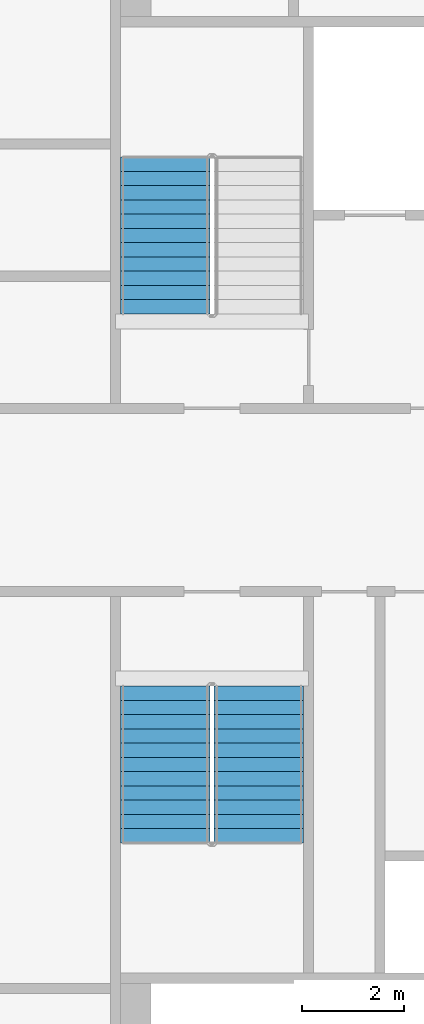
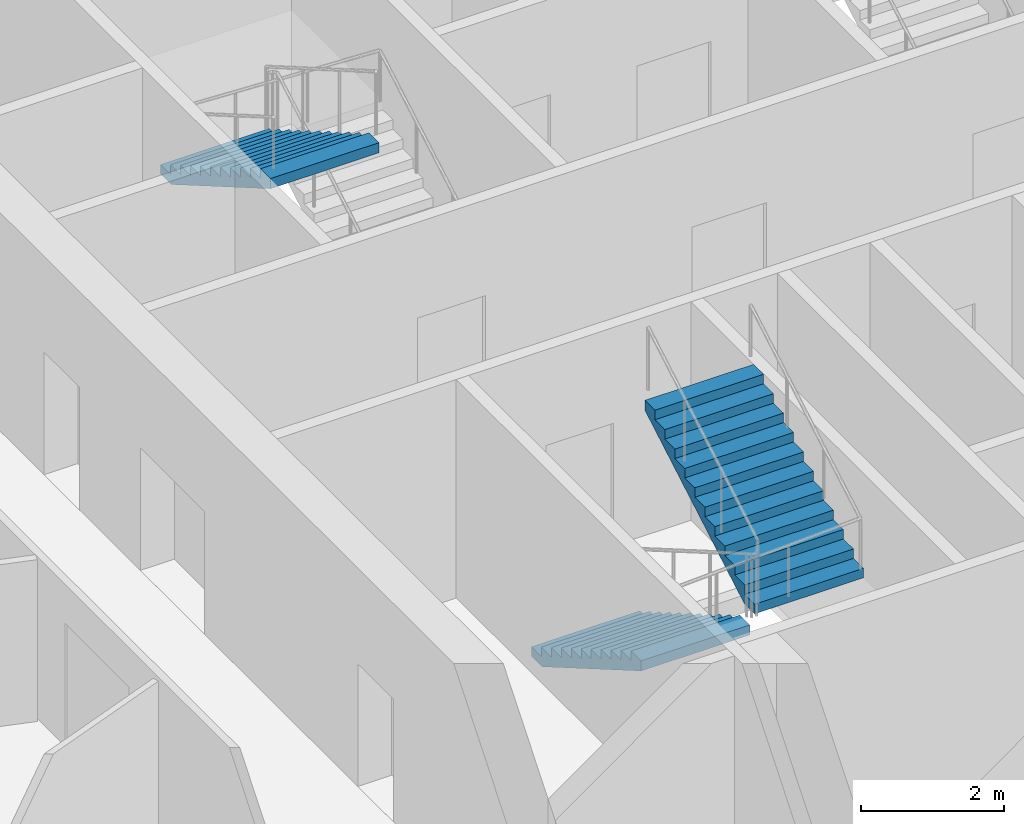
# One storey, part 17 of 24: 3 stair flights, 2 elements without a shape of their own.
"""IFC4 building model written with IfcOpenShell, lengths in metres."""

from ifc_helpers import new_model, si_unit, direction, frame, origin, place, context, subcontext, project, spatial, faceted_brep, material, type_object, element, aggregate, save


model = new_model("IFC4")

# Units and contexts
model_context = context("Model", 3, precision=1e-05, world=origin(), true_north=direction((0.0, 1.0)))
body_context = subcontext(model_context, "Body", "Model", "MODEL_VIEW")
ifc_project = project(units=[si_unit("LENGTHUNIT", "METRE"), si_unit("AREAUNIT", "SQUARE_METRE"), si_unit("VOLUMEUNIT", "CUBIC_METRE"), si_unit("PLANEANGLEUNIT", "RADIAN"), si_unit("MASSUNIT", "GRAM", prefix="KILO")], contexts=[model_context])

# Site, building, storey
site_placement = place(None, origin())
site = spatial("IfcSite", under=ifc_project, at=site_placement, CompositionType="ELEMENT")
building_placement = place(site_placement, origin())
building = spatial("IfcBuilding", under=site, at=building_placement, Name="Tarsis Ring Headquarters", CompositionType="ELEMENT")
storey_placement = place(building_placement, frame((0.0, 0.0, 216.0)))
storey = spatial("IfcBuildingStorey", under=building, at=storey_placement, Name="L50", CompositionType="ELEMENT", Elevation=216.0)

# Stair, stair flight
ifc_material_1 = material(Name="Core stair 1760")
stair_type = type_object("IfcStairType", Name="Core stair 1760", PredefinedType="HALF_TURN_STAIR", material=ifc_material_1)
stair_1_placement = place(storey_placement, origin())
stair_1 = element("IfcStair", 1, at=stair_1_placement, inside=storey, type_object=stair_type, Name="L50 Firefighting stair", PredefinedType="HALF_TURN_STAIR")
ifc_material_2 = material(Name="Concrete C40/50", Category="concrete")
stair_flight_type = type_object("IfcStairFlightType", Name="Core stair flight 1760", PredefinedType="STRAIGHT", material=ifc_material_2)
stair_flight_1_placement = place(storey_placement, frame((-5.419921875, 6.739990234375, 1.949951171875), z_axis=(0.0, 0.0, 1.0), x_axis=(0.0, -1.0, 0.0)))
stair_flight_1 = element("IfcStairFlight", 2, at=stair_flight_1_placement, type_object=stair_flight_type, Name="Stair ST1 flight 2", NumberOfRisers=12, NumberOfTreads=11, PredefinedType="STRAIGHT", RiserHeight=0.1625, TreadLength=0.28, context=body_context, shape_type="Brep", body=[
    faceted_brep([(0.0, 0.8798828125, 0.0), (0.0, 0.8798828125, 0.16259765625), (0.280029296875, 0.8798828125, 0.16259765625), (0.280029296875, 0.8798828125, 0.324951171875), (0.56005859375, 0.8798828125, 0.324951171875), (0.56005859375, 0.8798828125, 0.487548828125), (0.840087890625, 0.8798828125, 0.487548828125), (0.840087890625, 0.8798828125, 0.64990234375), (1.1201171875, 0.8798828125, 0.64990234375), (1.1201171875, 0.8798828125, 0.8125), (1.39990234375, 0.8798828125, 0.8125), (1.39990234375, 0.8798828125, 0.97509765625), (1.679931640625, 0.8798828125, 0.97509765625), (1.679931640625, 0.8798828125, 1.137451171875), (1.9599609375, 0.8798828125, 1.137451171875), (1.9599609375, 0.8798828125, 1.300048828125), (2.239990234375, 0.8798828125, 1.300048828125), (2.239990234375, 0.8798828125, 1.46240234375), (2.52001953125, 0.8798828125, 1.46240234375), (2.52001953125, 0.8798828125, 1.625), (2.800048828125, 0.8798828125, 1.625), (2.800048828125, 0.8798828125, 1.78759765625), (3.080078125, 0.8798828125, 1.78759765625), (3.080078125, 0.8798828125, 1.6142578125), (0.298583984375, 0.8798828125, 0.0), (0.298583984375, -0.8798828125, 0.0), (3.080078125, -0.8798828125, 1.6142578125), (3.080078125, -0.8798828125, 1.78759765625), (2.800048828125, -0.8798828125, 1.78759765625), (2.800048828125, -0.8798828125, 1.625), (2.52001953125, -0.8798828125, 1.625), (2.52001953125, -0.8798828125, 1.46240234375), (2.239990234375, -0.8798828125, 1.46240234375), (2.239990234375, -0.8798828125, 1.300048828125), (1.9599609375, -0.8798828125, 1.300048828125), (1.9599609375, -0.8798828125, 1.137451171875), (1.679931640625, -0.8798828125, 1.137451171875), (1.679931640625, -0.8798828125, 0.97509765625), (1.39990234375, -0.8798828125, 0.97509765625), (1.39990234375, -0.8798828125, 0.8125), (1.1201171875, -0.8798828125, 0.8125), (1.1201171875, -0.8798828125, 0.64990234375), (0.840087890625, -0.8798828125, 0.64990234375), (0.840087890625, -0.8798828125, 0.487548828125), (0.56005859375, -0.8798828125, 0.487548828125), (0.56005859375, -0.8798828125, 0.324951171875), (0.280029296875, -0.8798828125, 0.324951171875), (0.280029296875, -0.8798828125, 0.16259765625), (0.0, -0.8798828125, 0.16259765625), (0.0, -0.8798828125, 0.0), (0.0, -0.43994140625, 0.16259765625), (0.0, -0.43994140625, 0.0), (0.0, 0.0, 0.16259765625), (0.0, 0.0, 0.0), (0.0, 0.43994140625, 0.16259765625), (0.0, 0.43994140625, 0.0), (0.280029296875, -0.43994140625, 0.16259765625), (0.280029296875, 0.0, 0.16259765625), (0.280029296875, 0.43994140625, 0.16259765625), (0.280029296875, -0.43994140625, 0.324951171875), (0.280029296875, 0.0, 0.324951171875), (0.280029296875, 0.43994140625, 0.324951171875), (0.56005859375, -0.43994140625, 0.324951171875), (0.56005859375, 0.0, 0.324951171875), (0.56005859375, 0.43994140625, 0.324951171875), (0.56005859375, -0.43994140625, 0.487548828125), (0.56005859375, 0.0, 0.487548828125), (0.56005859375, 0.43994140625, 0.487548828125), (0.840087890625, -0.43994140625, 0.487548828125), (0.840087890625, 0.0, 0.487548828125), (0.840087890625, 0.43994140625, 0.487548828125), (0.840087890625, -0.43994140625, 0.64990234375), (0.840087890625, 0.0, 0.64990234375), (0.840087890625, 0.43994140625, 0.64990234375), (1.1201171875, -0.43994140625, 0.64990234375), (1.1201171875, 0.0, 0.64990234375), (1.1201171875, 0.43994140625, 0.64990234375), (1.1201171875, -0.43994140625, 0.8125), (1.1201171875, 0.0, 0.8125), (1.1201171875, 0.43994140625, 0.8125), (1.39990234375, -0.43994140625, 0.8125), (1.39990234375, 0.0, 0.8125), (1.39990234375, 0.43994140625, 0.8125), (1.39990234375, -0.43994140625, 0.97509765625), (1.39990234375, 0.0, 0.97509765625), (1.39990234375, 0.43994140625, 0.97509765625), (1.679931640625, -0.43994140625, 0.97509765625), (1.679931640625, 0.0, 0.97509765625), (1.679931640625, 0.43994140625, 0.97509765625), (1.679931640625, -0.43994140625, 1.137451171875), (1.679931640625, 0.0, 1.137451171875), (1.679931640625, 0.43994140625, 1.137451171875), (1.9599609375, -0.43994140625, 1.137451171875), (1.9599609375, 0.0, 1.137451171875), (1.9599609375, 0.43994140625, 1.137451171875), (1.9599609375, -0.43994140625, 1.300048828125), (1.9599609375, 0.0, 1.300048828125), (1.9599609375, 0.43994140625, 1.300048828125), (2.239990234375, -0.43994140625, 1.300048828125), (2.239990234375, 0.0, 1.300048828125), (2.239990234375, 0.43994140625, 1.300048828125), (2.239990234375, -0.43994140625, 1.46240234375), (2.239990234375, 0.0, 1.46240234375), (2.239990234375, 0.43994140625, 1.46240234375), (2.52001953125, -0.43994140625, 1.46240234375), (2.52001953125, 0.0, 1.46240234375), (2.52001953125, 0.43994140625, 1.46240234375), (2.52001953125, -0.43994140625, 1.625), (2.52001953125, 0.0, 1.625), (2.52001953125, 0.43994140625, 1.625), (2.800048828125, -0.43994140625, 1.625), (2.800048828125, 0.0, 1.625), (2.800048828125, 0.43994140625, 1.625), (2.800048828125, -0.43994140625, 1.78759765625), (2.800048828125, 0.0, 1.78759765625), (2.800048828125, 0.43994140625, 1.78759765625), (3.080078125, -0.43994140625, 1.78759765625), (3.080078125, 0.0, 1.78759765625), (3.080078125, 0.43994140625, 1.78759765625), (3.080078125, -0.43994140625, 1.6142578125), (3.080078125, 0.0, 1.6142578125), (3.080078125, 0.43994140625, 1.6142578125), (0.298583984375, -0.43994140625, 0.0), (0.298583984375, 0.0, 0.0), (0.298583984375, 0.43994140625, 0.0)], [[[0, 1, 2, 3, 4, 5, 6, 7, 8, 9, 10, 11, 12, 13, 14, 15, 16, 17, 18, 19, 20, 21, 22, 23, 24]], [[25, 26, 27, 28, 29, 30, 31, 32, 33, 34, 35, 36, 37, 38, 39, 40, 41, 42, 43, 44, 45, 46, 47, 48, 49]], [[49, 48, 50, 51]], [[51, 50, 52, 53]], [[53, 52, 54, 55]], [[55, 54, 1, 0]], [[48, 47, 56, 50]], [[50, 56, 57, 52]], [[52, 57, 58, 54]], [[54, 58, 2, 1]], [[47, 46, 59, 56]], [[56, 59, 60, 57]], [[57, 60, 61, 58]], [[58, 61, 3, 2]], [[46, 45, 62, 59]], [[59, 62, 63, 60]], [[60, 63, 64, 61]], [[61, 64, 4, 3]], [[45, 44, 65, 62]], [[62, 65, 66, 63]], [[63, 66, 67, 64]], [[64, 67, 5, 4]], [[44, 43, 68, 65]], [[65, 68, 69, 66]], [[66, 69, 70, 67]], [[67, 70, 6, 5]], [[43, 42, 71, 68]], [[68, 71, 72, 69]], [[69, 72, 73, 70]], [[70, 73, 7, 6]], [[42, 41, 74, 71]], [[71, 74, 75, 72]], [[72, 75, 76, 73]], [[73, 76, 8, 7]], [[41, 40, 77, 74]], [[74, 77, 78, 75]], [[75, 78, 79, 76]], [[76, 79, 9, 8]], [[40, 39, 80, 77]], [[77, 80, 81, 78]], [[78, 81, 82, 79]], [[79, 82, 10, 9]], [[39, 38, 83, 80]], [[80, 83, 84, 81]], [[81, 84, 85, 82]], [[82, 85, 11, 10]], [[38, 37, 86, 83]], [[83, 86, 87, 84]], [[84, 87, 88, 85]], [[85, 88, 12, 11]], [[37, 36, 89, 86]], [[86, 89, 90, 87]], [[87, 90, 91, 88]], [[88, 91, 13, 12]], [[36, 35, 92, 89]], [[89, 92, 93, 90]], [[90, 93, 94, 91]], [[91, 94, 14, 13]], [[35, 34, 95, 92]], [[92, 95, 96, 93]], [[93, 96, 97, 94]], [[94, 97, 15, 14]], [[34, 33, 98, 95]], [[95, 98, 99, 96]], [[96, 99, 100, 97]], [[97, 100, 16, 15]], [[33, 32, 101, 98]], [[98, 101, 102, 99]], [[99, 102, 103, 100]], [[100, 103, 17, 16]], [[32, 31, 104, 101]], [[101, 104, 105, 102]], [[102, 105, 106, 103]], [[103, 106, 18, 17]], [[31, 30, 107, 104]], [[104, 107, 108, 105]], [[105, 108, 109, 106]], [[106, 109, 19, 18]], [[30, 29, 110, 107]], [[107, 110, 111, 108]], [[108, 111, 112, 109]], [[109, 112, 20, 19]], [[29, 28, 113, 110]], [[110, 113, 114, 111]], [[111, 114, 115, 112]], [[112, 115, 21, 20]], [[28, 27, 116, 113]], [[113, 116, 117, 114]], [[114, 117, 118, 115]], [[115, 118, 22, 21]], [[27, 26, 119, 116]], [[116, 119, 120, 117]], [[117, 120, 121, 118]], [[118, 121, 23, 22]], [[26, 25, 122, 119]], [[119, 122, 123, 120]], [[120, 123, 124, 121]], [[121, 124, 24, 23]], [[25, 49, 51, 122]], [[122, 51, 53, 123]], [[123, 53, 55, 124]], [[124, 55, 0, 24]]]),
])
aggregate(stair_1, [stair_flight_1])

# Stair, stair flights
stair_2_placement = place(storey_placement, origin())
stair_2 = element("IfcStair", 3, at=stair_2_placement, inside=storey, type_object=stair_type, Name="L50 Exit stair C", PredefinedType="HALF_TURN_STAIR")
stair_flight_2_placement = place(storey_placement, frame((-5.419921875, -3.659912109375, 0.0), z_axis=(0.0, 0.0, 1.0), x_axis=(0.0, -1.0, 0.0)))
stair_flight_2 = element("IfcStairFlight", 4, at=stair_flight_2_placement, type_object=stair_flight_type, Name="Stair ST3 flight 1", NumberOfRisers=12, NumberOfTreads=11, PredefinedType="STRAIGHT", RiserHeight=0.1625, TreadLength=0.28, context=body_context, shape_type="Brep", body=[
    faceted_brep([(0.0, 0.8798828125, 0.0), (0.0, 0.8798828125, 0.16259765625), (0.280029296875, 0.8798828125, 0.16259765625), (0.280029296875, 0.8798828125, 0.324951171875), (0.56005859375, 0.8798828125, 0.324951171875), (0.56005859375, 0.8798828125, 0.487548828125), (0.840087890625, 0.8798828125, 0.487548828125), (0.840087890625, 0.8798828125, 0.64990234375), (1.1201171875, 0.8798828125, 0.64990234375), (1.1201171875, 0.8798828125, 0.8125), (1.39990234375, 0.8798828125, 0.8125), (1.39990234375, 0.8798828125, 0.97509765625), (1.679931640625, 0.8798828125, 0.97509765625), (1.679931640625, 0.8798828125, 1.137451171875), (1.9599609375, 0.8798828125, 1.137451171875), (1.9599609375, 0.8798828125, 1.300048828125), (2.239990234375, 0.8798828125, 1.300048828125), (2.239990234375, 0.8798828125, 1.46240234375), (2.52001953125, 0.8798828125, 1.46240234375), (2.52001953125, 0.8798828125, 1.625), (2.800048828125, 0.8798828125, 1.625), (2.800048828125, 0.8798828125, 1.78759765625), (3.080078125, 0.8798828125, 1.78759765625), (3.080078125, 0.8798828125, 1.6142578125), (0.298583984375, 0.8798828125, 0.0), (0.298583984375, -0.8798828125, 0.0), (3.080078125, -0.8798828125, 1.6142578125), (3.080078125, -0.8798828125, 1.78759765625), (2.800048828125, -0.8798828125, 1.78759765625), (2.800048828125, -0.8798828125, 1.625), (2.52001953125, -0.8798828125, 1.625), (2.52001953125, -0.8798828125, 1.46240234375), (2.239990234375, -0.8798828125, 1.46240234375), (2.239990234375, -0.8798828125, 1.300048828125), (1.9599609375, -0.8798828125, 1.300048828125), (1.9599609375, -0.8798828125, 1.137451171875), (1.679931640625, -0.8798828125, 1.137451171875), (1.679931640625, -0.8798828125, 0.97509765625), (1.39990234375, -0.8798828125, 0.97509765625), (1.39990234375, -0.8798828125, 0.8125), (1.1201171875, -0.8798828125, 0.8125), (1.1201171875, -0.8798828125, 0.64990234375), (0.840087890625, -0.8798828125, 0.64990234375), (0.840087890625, -0.8798828125, 0.487548828125), (0.56005859375, -0.8798828125, 0.487548828125), (0.56005859375, -0.8798828125, 0.324951171875), (0.280029296875, -0.8798828125, 0.324951171875), (0.280029296875, -0.8798828125, 0.16259765625), (0.0, -0.8798828125, 0.16259765625), (0.0, -0.8798828125, 0.0), (0.0, -0.43994140625, 0.16259765625), (0.0, -0.43994140625, 0.0), (0.0, 0.0, 0.16259765625), (0.0, 0.0, 0.0), (0.0, 0.43994140625, 0.16259765625), (0.0, 0.43994140625, 0.0), (0.280029296875, -0.43994140625, 0.16259765625), (0.280029296875, 0.0, 0.16259765625), (0.280029296875, 0.43994140625, 0.16259765625), (0.280029296875, -0.43994140625, 0.324951171875), (0.280029296875, 0.0, 0.324951171875), (0.280029296875, 0.43994140625, 0.324951171875), (0.56005859375, -0.43994140625, 0.324951171875), (0.56005859375, 0.0, 0.324951171875), (0.56005859375, 0.43994140625, 0.324951171875), (0.56005859375, -0.43994140625, 0.487548828125), (0.56005859375, 0.0, 0.487548828125), (0.56005859375, 0.43994140625, 0.487548828125), (0.840087890625, -0.43994140625, 0.487548828125), (0.840087890625, 0.0, 0.487548828125), (0.840087890625, 0.43994140625, 0.487548828125), (0.840087890625, -0.43994140625, 0.64990234375), (0.840087890625, 0.0, 0.64990234375), (0.840087890625, 0.43994140625, 0.64990234375), (1.1201171875, -0.43994140625, 0.64990234375), (1.1201171875, 0.0, 0.64990234375), (1.1201171875, 0.43994140625, 0.64990234375), (1.1201171875, -0.43994140625, 0.8125), (1.1201171875, 0.0, 0.8125), (1.1201171875, 0.43994140625, 0.8125), (1.39990234375, -0.43994140625, 0.8125), (1.39990234375, 0.0, 0.8125), (1.39990234375, 0.43994140625, 0.8125), (1.39990234375, -0.43994140625, 0.97509765625), (1.39990234375, 0.0, 0.97509765625), (1.39990234375, 0.43994140625, 0.97509765625), (1.679931640625, -0.43994140625, 0.97509765625), (1.679931640625, 0.0, 0.97509765625), (1.679931640625, 0.43994140625, 0.97509765625), (1.679931640625, -0.43994140625, 1.137451171875), (1.679931640625, 0.0, 1.137451171875), (1.679931640625, 0.43994140625, 1.137451171875), (1.9599609375, -0.43994140625, 1.137451171875), (1.9599609375, 0.0, 1.137451171875), (1.9599609375, 0.43994140625, 1.137451171875), (1.9599609375, -0.43994140625, 1.300048828125), (1.9599609375, 0.0, 1.300048828125), (1.9599609375, 0.43994140625, 1.300048828125), (2.239990234375, -0.43994140625, 1.300048828125), (2.239990234375, 0.0, 1.300048828125), (2.239990234375, 0.43994140625, 1.300048828125), (2.239990234375, -0.43994140625, 1.46240234375), (2.239990234375, 0.0, 1.46240234375), (2.239990234375, 0.43994140625, 1.46240234375), (2.52001953125, -0.43994140625, 1.46240234375), (2.52001953125, 0.0, 1.46240234375), (2.52001953125, 0.43994140625, 1.46240234375), (2.52001953125, -0.43994140625, 1.625), (2.52001953125, 0.0, 1.625), (2.52001953125, 0.43994140625, 1.625), (2.800048828125, -0.43994140625, 1.625), (2.800048828125, 0.0, 1.625), (2.800048828125, 0.43994140625, 1.625), (2.800048828125, -0.43994140625, 1.78759765625), (2.800048828125, 0.0, 1.78759765625), (2.800048828125, 0.43994140625, 1.78759765625), (3.080078125, -0.43994140625, 1.78759765625), (3.080078125, 0.0, 1.78759765625), (3.080078125, 0.43994140625, 1.78759765625), (3.080078125, -0.43994140625, 1.6142578125), (3.080078125, 0.0, 1.6142578125), (3.080078125, 0.43994140625, 1.6142578125), (0.298583984375, -0.43994140625, 0.0), (0.298583984375, 0.0, 0.0), (0.298583984375, 0.43994140625, 0.0)], [[[0, 1, 2, 3, 4, 5, 6, 7, 8, 9, 10, 11, 12, 13, 14, 15, 16, 17, 18, 19, 20, 21, 22, 23, 24]], [[25, 26, 27, 28, 29, 30, 31, 32, 33, 34, 35, 36, 37, 38, 39, 40, 41, 42, 43, 44, 45, 46, 47, 48, 49]], [[49, 48, 50, 51]], [[51, 50, 52, 53]], [[53, 52, 54, 55]], [[55, 54, 1, 0]], [[48, 47, 56, 50]], [[50, 56, 57, 52]], [[52, 57, 58, 54]], [[54, 58, 2, 1]], [[47, 46, 59, 56]], [[56, 59, 60, 57]], [[57, 60, 61, 58]], [[58, 61, 3, 2]], [[46, 45, 62, 59]], [[59, 62, 63, 60]], [[60, 63, 64, 61]], [[61, 64, 4, 3]], [[45, 44, 65, 62]], [[62, 65, 66, 63]], [[63, 66, 67, 64]], [[64, 67, 5, 4]], [[44, 43, 68, 65]], [[65, 68, 69, 66]], [[66, 69, 70, 67]], [[67, 70, 6, 5]], [[43, 42, 71, 68]], [[68, 71, 72, 69]], [[69, 72, 73, 70]], [[70, 73, 7, 6]], [[42, 41, 74, 71]], [[71, 74, 75, 72]], [[72, 75, 76, 73]], [[73, 76, 8, 7]], [[41, 40, 77, 74]], [[74, 77, 78, 75]], [[75, 78, 79, 76]], [[76, 79, 9, 8]], [[40, 39, 80, 77]], [[77, 80, 81, 78]], [[78, 81, 82, 79]], [[79, 82, 10, 9]], [[39, 38, 83, 80]], [[80, 83, 84, 81]], [[81, 84, 85, 82]], [[82, 85, 11, 10]], [[38, 37, 86, 83]], [[83, 86, 87, 84]], [[84, 87, 88, 85]], [[85, 88, 12, 11]], [[37, 36, 89, 86]], [[86, 89, 90, 87]], [[87, 90, 91, 88]], [[88, 91, 13, 12]], [[36, 35, 92, 89]], [[89, 92, 93, 90]], [[90, 93, 94, 91]], [[91, 94, 14, 13]], [[35, 34, 95, 92]], [[92, 95, 96, 93]], [[93, 96, 97, 94]], [[94, 97, 15, 14]], [[34, 33, 98, 95]], [[95, 98, 99, 96]], [[96, 99, 100, 97]], [[97, 100, 16, 15]], [[33, 32, 101, 98]], [[98, 101, 102, 99]], [[99, 102, 103, 100]], [[100, 103, 17, 16]], [[32, 31, 104, 101]], [[101, 104, 105, 102]], [[102, 105, 106, 103]], [[103, 106, 18, 17]], [[31, 30, 107, 104]], [[104, 107, 108, 105]], [[105, 108, 109, 106]], [[106, 109, 19, 18]], [[30, 29, 110, 107]], [[107, 110, 111, 108]], [[108, 111, 112, 109]], [[109, 112, 20, 19]], [[29, 28, 113, 110]], [[110, 113, 114, 111]], [[111, 114, 115, 112]], [[112, 115, 21, 20]], [[28, 27, 116, 113]], [[113, 116, 117, 114]], [[114, 117, 118, 115]], [[115, 118, 22, 21]], [[27, 26, 119, 116]], [[116, 119, 120, 117]], [[117, 120, 121, 118]], [[118, 121, 23, 22]], [[26, 25, 122, 119]], [[119, 122, 123, 120]], [[120, 123, 124, 121]], [[121, 124, 24, 23]], [[25, 49, 51, 122]], [[122, 51, 53, 123]], [[123, 53, 55, 124]], [[124, 55, 0, 24]]]),
])
stair_flight_3_placement = place(storey_placement, frame((-3.580078125, -6.739990234375, 1.949951171875), z_axis=(0.0, 0.0, 1.0), x_axis=(0.0, 1.0, 0.0)))
stair_flight_3 = element("IfcStairFlight", 5, at=stair_flight_3_placement, type_object=stair_flight_type, Name="Stair ST3 flight 2", NumberOfRisers=12, NumberOfTreads=11, PredefinedType="STRAIGHT", RiserHeight=0.1625, TreadLength=0.28, context=body_context, shape_type="Brep", body=[
    faceted_brep([(0.0, 0.8798828125, 0.0), (0.0, 0.8798828125, 0.16259765625), (0.280029296875, 0.8798828125, 0.16259765625), (0.280029296875, 0.8798828125, 0.324951171875), (0.56005859375, 0.8798828125, 0.324951171875), (0.56005859375, 0.8798828125, 0.487548828125), (0.840087890625, 0.8798828125, 0.487548828125), (0.840087890625, 0.8798828125, 0.64990234375), (1.1201171875, 0.8798828125, 0.64990234375), (1.1201171875, 0.8798828125, 0.8125), (1.39990234375, 0.8798828125, 0.8125), (1.39990234375, 0.8798828125, 0.97509765625), (1.679931640625, 0.8798828125, 0.97509765625), (1.679931640625, 0.8798828125, 1.137451171875), (1.9599609375, 0.8798828125, 1.137451171875), (1.9599609375, 0.8798828125, 1.300048828125), (2.239990234375, 0.8798828125, 1.300048828125), (2.239990234375, 0.8798828125, 1.46240234375), (2.52001953125, 0.8798828125, 1.46240234375), (2.52001953125, 0.8798828125, 1.625), (2.800048828125, 0.8798828125, 1.625), (2.800048828125, 0.8798828125, 1.78759765625), (3.080078125, 0.8798828125, 1.78759765625), (3.080078125, 0.8798828125, 1.6142578125), (0.298583984375, 0.8798828125, 0.0), (0.298583984375, -0.8798828125, 0.0), (3.080078125, -0.8798828125, 1.6142578125), (3.080078125, -0.8798828125, 1.78759765625), (2.800048828125, -0.8798828125, 1.78759765625), (2.800048828125, -0.8798828125, 1.625), (2.52001953125, -0.8798828125, 1.625), (2.52001953125, -0.8798828125, 1.46240234375), (2.239990234375, -0.8798828125, 1.46240234375), (2.239990234375, -0.8798828125, 1.300048828125), (1.9599609375, -0.8798828125, 1.300048828125), (1.9599609375, -0.8798828125, 1.137451171875), (1.679931640625, -0.8798828125, 1.137451171875), (1.679931640625, -0.8798828125, 0.97509765625), (1.39990234375, -0.8798828125, 0.97509765625), (1.39990234375, -0.8798828125, 0.8125), (1.1201171875, -0.8798828125, 0.8125), (1.1201171875, -0.8798828125, 0.64990234375), (0.840087890625, -0.8798828125, 0.64990234375), (0.840087890625, -0.8798828125, 0.487548828125), (0.56005859375, -0.8798828125, 0.487548828125), (0.56005859375, -0.8798828125, 0.324951171875), (0.280029296875, -0.8798828125, 0.324951171875), (0.280029296875, -0.8798828125, 0.16259765625), (0.0, -0.8798828125, 0.16259765625), (0.0, -0.8798828125, 0.0), (0.0, -0.43994140625, 0.16259765625), (0.0, -0.43994140625, 0.0), (0.0, 0.0, 0.16259765625), (0.0, 0.0, 0.0), (0.0, 0.43994140625, 0.16259765625), (0.0, 0.43994140625, 0.0), (0.280029296875, -0.43994140625, 0.16259765625), (0.280029296875, 0.0, 0.16259765625), (0.280029296875, 0.43994140625, 0.16259765625), (0.280029296875, -0.43994140625, 0.324951171875), (0.280029296875, 0.0, 0.324951171875), (0.280029296875, 0.43994140625, 0.324951171875), (0.56005859375, -0.43994140625, 0.324951171875), (0.56005859375, 0.0, 0.324951171875), (0.56005859375, 0.43994140625, 0.324951171875), (0.56005859375, -0.43994140625, 0.487548828125), (0.56005859375, 0.0, 0.487548828125), (0.56005859375, 0.43994140625, 0.487548828125), (0.840087890625, -0.43994140625, 0.487548828125), (0.840087890625, 0.0, 0.487548828125), (0.840087890625, 0.43994140625, 0.487548828125), (0.840087890625, -0.43994140625, 0.64990234375), (0.840087890625, 0.0, 0.64990234375), (0.840087890625, 0.43994140625, 0.64990234375), (1.1201171875, -0.43994140625, 0.64990234375), (1.1201171875, 0.0, 0.64990234375), (1.1201171875, 0.43994140625, 0.64990234375), (1.1201171875, -0.43994140625, 0.8125), (1.1201171875, 0.0, 0.8125), (1.1201171875, 0.43994140625, 0.8125), (1.39990234375, -0.43994140625, 0.8125), (1.39990234375, 0.0, 0.8125), (1.39990234375, 0.43994140625, 0.8125), (1.39990234375, -0.43994140625, 0.97509765625), (1.39990234375, 0.0, 0.97509765625), (1.39990234375, 0.43994140625, 0.97509765625), (1.679931640625, -0.43994140625, 0.97509765625), (1.679931640625, 0.0, 0.97509765625), (1.679931640625, 0.43994140625, 0.97509765625), (1.679931640625, -0.43994140625, 1.137451171875), (1.679931640625, 0.0, 1.137451171875), (1.679931640625, 0.43994140625, 1.137451171875), (1.9599609375, -0.43994140625, 1.137451171875), (1.9599609375, 0.0, 1.137451171875), (1.9599609375, 0.43994140625, 1.137451171875), (1.9599609375, -0.43994140625, 1.300048828125), (1.9599609375, 0.0, 1.300048828125), (1.9599609375, 0.43994140625, 1.300048828125), (2.239990234375, -0.43994140625, 1.300048828125), (2.239990234375, 0.0, 1.300048828125), (2.239990234375, 0.43994140625, 1.300048828125), (2.239990234375, -0.43994140625, 1.46240234375), (2.239990234375, 0.0, 1.46240234375), (2.239990234375, 0.43994140625, 1.46240234375), (2.52001953125, -0.43994140625, 1.46240234375), (2.52001953125, 0.0, 1.46240234375), (2.52001953125, 0.43994140625, 1.46240234375), (2.52001953125, -0.43994140625, 1.625), (2.52001953125, 0.0, 1.625), (2.52001953125, 0.43994140625, 1.625), (2.800048828125, -0.43994140625, 1.625), (2.800048828125, 0.0, 1.625), (2.800048828125, 0.43994140625, 1.625), (2.800048828125, -0.43994140625, 1.78759765625), (2.800048828125, 0.0, 1.78759765625), (2.800048828125, 0.43994140625, 1.78759765625), (3.080078125, -0.43994140625, 1.78759765625), (3.080078125, 0.0, 1.78759765625), (3.080078125, 0.43994140625, 1.78759765625), (3.080078125, -0.43994140625, 1.6142578125), (3.080078125, 0.0, 1.6142578125), (3.080078125, 0.43994140625, 1.6142578125), (0.298583984375, -0.43994140625, 0.0), (0.298583984375, 0.0, 0.0), (0.298583984375, 0.43994140625, 0.0)], [[[0, 1, 2, 3, 4, 5, 6, 7, 8, 9, 10, 11, 12, 13, 14, 15, 16, 17, 18, 19, 20, 21, 22, 23, 24]], [[25, 26, 27, 28, 29, 30, 31, 32, 33, 34, 35, 36, 37, 38, 39, 40, 41, 42, 43, 44, 45, 46, 47, 48, 49]], [[49, 48, 50, 51]], [[51, 50, 52, 53]], [[53, 52, 54, 55]], [[55, 54, 1, 0]], [[48, 47, 56, 50]], [[50, 56, 57, 52]], [[52, 57, 58, 54]], [[54, 58, 2, 1]], [[47, 46, 59, 56]], [[56, 59, 60, 57]], [[57, 60, 61, 58]], [[58, 61, 3, 2]], [[46, 45, 62, 59]], [[59, 62, 63, 60]], [[60, 63, 64, 61]], [[61, 64, 4, 3]], [[45, 44, 65, 62]], [[62, 65, 66, 63]], [[63, 66, 67, 64]], [[64, 67, 5, 4]], [[44, 43, 68, 65]], [[65, 68, 69, 66]], [[66, 69, 70, 67]], [[67, 70, 6, 5]], [[43, 42, 71, 68]], [[68, 71, 72, 69]], [[69, 72, 73, 70]], [[70, 73, 7, 6]], [[42, 41, 74, 71]], [[71, 74, 75, 72]], [[72, 75, 76, 73]], [[73, 76, 8, 7]], [[41, 40, 77, 74]], [[74, 77, 78, 75]], [[75, 78, 79, 76]], [[76, 79, 9, 8]], [[40, 39, 80, 77]], [[77, 80, 81, 78]], [[78, 81, 82, 79]], [[79, 82, 10, 9]], [[39, 38, 83, 80]], [[80, 83, 84, 81]], [[81, 84, 85, 82]], [[82, 85, 11, 10]], [[38, 37, 86, 83]], [[83, 86, 87, 84]], [[84, 87, 88, 85]], [[85, 88, 12, 11]], [[37, 36, 89, 86]], [[86, 89, 90, 87]], [[87, 90, 91, 88]], [[88, 91, 13, 12]], [[36, 35, 92, 89]], [[89, 92, 93, 90]], [[90, 93, 94, 91]], [[91, 94, 14, 13]], [[35, 34, 95, 92]], [[92, 95, 96, 93]], [[93, 96, 97, 94]], [[94, 97, 15, 14]], [[34, 33, 98, 95]], [[95, 98, 99, 96]], [[96, 99, 100, 97]], [[97, 100, 16, 15]], [[33, 32, 101, 98]], [[98, 101, 102, 99]], [[99, 102, 103, 100]], [[100, 103, 17, 16]], [[32, 31, 104, 101]], [[101, 104, 105, 102]], [[102, 105, 106, 103]], [[103, 106, 18, 17]], [[31, 30, 107, 104]], [[104, 107, 108, 105]], [[105, 108, 109, 106]], [[106, 109, 19, 18]], [[30, 29, 110, 107]], [[107, 110, 111, 108]], [[108, 111, 112, 109]], [[109, 112, 20, 19]], [[29, 28, 113, 110]], [[110, 113, 114, 111]], [[111, 114, 115, 112]], [[112, 115, 21, 20]], [[28, 27, 116, 113]], [[113, 116, 117, 114]], [[114, 117, 118, 115]], [[115, 118, 22, 21]], [[27, 26, 119, 116]], [[116, 119, 120, 117]], [[117, 120, 121, 118]], [[118, 121, 23, 22]], [[26, 25, 122, 119]], [[119, 122, 123, 120]], [[120, 123, 124, 121]], [[121, 124, 24, 23]], [[25, 49, 51, 122]], [[122, 51, 53, 123]], [[123, 53, 55, 124]], [[124, 55, 0, 24]]]),
])
aggregate(stair_2, [stair_flight_2, stair_flight_3])

save(model, "model.ifc")
